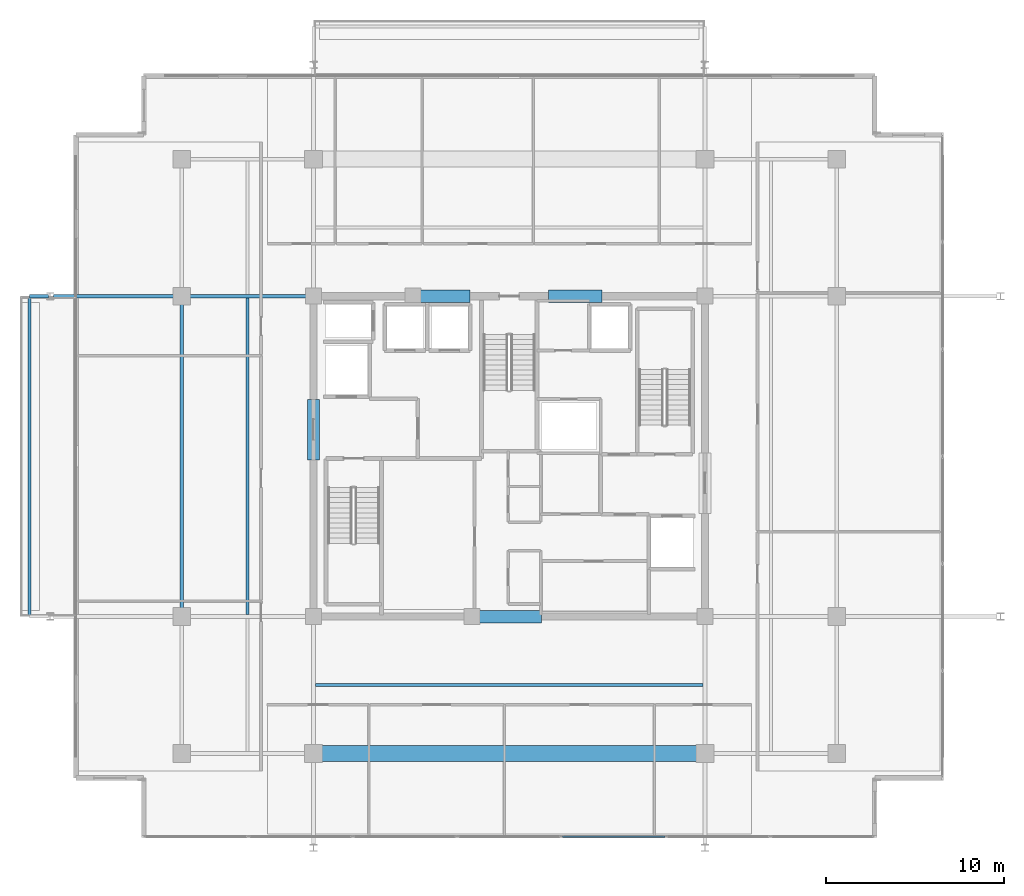
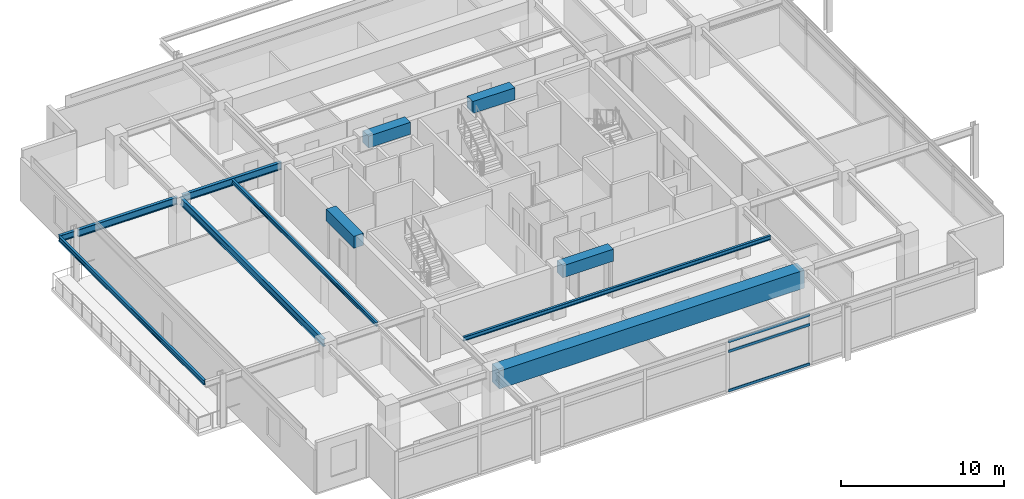
# One storey, part 5 of 20: 12 beams, 3 members, 1 element without a shape of its own.
"""IFC4 building model written with IfcOpenShell, lengths in metres."""

from ifc_helpers import new_model, si_unit, direction, frame, origin, origin_2d, place, context, subcontext, project, spatial, rectangle, hollow_rectangle, i_section, extrude, material, material_profile, profile_set, type_object, element, aggregate, save


model = new_model("IFC4")

# Units and contexts
model_context = context("Model", 3, precision=1e-05, world=origin(), true_north=direction((0.0, 1.0)))
body_context = subcontext(model_context, "Body", "Model", "MODEL_VIEW")
ifc_project = project(units=[si_unit("LENGTHUNIT", "METRE"), si_unit("AREAUNIT", "SQUARE_METRE"), si_unit("VOLUMEUNIT", "CUBIC_METRE"), si_unit("PLANEANGLEUNIT", "RADIAN"), si_unit("MASSUNIT", "GRAM", prefix="KILO")], contexts=[model_context])

# Site, building, storey
site_placement = place(None, origin())
site = spatial("IfcSite", under=ifc_project, at=site_placement, CompositionType="ELEMENT")
building_placement = place(site_placement, origin())
building = spatial("IfcBuilding", under=site, at=building_placement, Name="Kovane Verandah Tower", CompositionType="ELEMENT")
storey_placement = place(building_placement, frame((0.0, 0.0, 334.800048828125)))
storey = spatial("IfcBuildingStorey", under=building, at=storey_placement, Name="L78", CompositionType="ELEMENT", Elevation=334.800048828125)

# Beams
ifc_material_1 = material(Name="Concrete C60/75", Category="concrete")
ifc_material_profile_1 = material_profile(ifc_material_1, rectangle(XDim=0.699951171875, YDim=0.89990234375, at=origin_2d()), Name="RCB700x900")
ifc_profile_set_1 = profile_set([ifc_material_profile_1], Name="Concrete C60/75")
beam_type_1 = type_object("IfcBeamType", Name="BM-LINTEL-700x900", PredefinedType="LINTEL", material=ifc_profile_set_1)
beam_1_placement = place(storey_placement, frame((38.199951171875, 18.5, 3.3349609375), z_axis=(1.0, 0.0, 0.0), x_axis=(0.0, 1.0, 0.0)))
element("IfcBeam", 1, at=beam_1_placement, inside=storey, type_object=beam_type_1, Name="L78 Core Coupling Lintel CL-S", PredefinedType="LINTEL", context=body_context, shape_type="SweptSolid", body=[
    extrude(rectangle(XDim=0.699951171875, YDim=0.89990234375, at=origin_2d()), origin(), (0.0, 0.0, 1.0), 3.60009765625),
])
for number, where, z_axis, x_axis, name in (
    (2, (34.800048828125, 36.5, 3.3349609375), (1.0, 0.0, 0.0), (0.0, 1.0, 0.0), "L78 Core Coupling Lintel CL-N1"),
    (3, (42.199951171875, 36.5, 3.3349609375), (1.0, 0.0, 0.0), (0.0, 1.0, 0.0), "L78 Core Coupling Lintel CL-N2"),
):
    element("IfcBeam", number, at=place(storey_placement, frame(where, z_axis=z_axis, x_axis=x_axis)), inside=storey, type_object=beam_type_1, Name=name, PredefinedType="LINTEL", context=body_context, shape_type="SweptSolid", body=[
        extrude(rectangle(XDim=0.699951171875, YDim=0.89990234375, at=origin_2d()), origin(), (0.0, 0.0, 1.0), 3.0),
    ])
beam_2_placement = place(storey_placement, frame((29.0, 27.300048828125, 3.3349609375), z_axis=(0.0, 1.0, 0.0), x_axis=(-1.0, 0.0, 0.0)))
element("IfcBeam", 4, at=beam_2_placement, inside=storey, type_object=beam_type_1, Name="L78 Core Coupling Lintel CL-W", PredefinedType="LINTEL", context=body_context, shape_type="SweptSolid", body=[
    extrude(rectangle(XDim=0.699951171875, YDim=0.89990234375, at=origin_2d()), origin(), (0.0, 0.0, 1.0), 3.39990234375),
])
ifc_material_2 = material(Name="Concrete C80/95", Category="concrete")
ifc_material_profile_2 = material_profile(ifc_material_2, rectangle(XDim=0.89990234375, YDim=1.35009765625, at=origin_2d()), Name="RCB900x1350")
ifc_profile_set_2 = profile_set([ifc_material_profile_2], Name="Concrete C80/95")
beam_type_2 = type_object("IfcBeamType", Name="BM-TR-900x1350", PredefinedType="BEAM", material=ifc_profile_set_2)
beam_3_placement = place(storey_placement, frame((29.179931640625, 10.800048828125, 3.10986328125), z_axis=(1.0, 0.0, 0.0), x_axis=(0.0, 1.0, 0.0)))
element("IfcBeam", 5, at=beam_3_placement, inside=storey, type_object=beam_type_2, Name="L78 Primary Tower Girder G-RS2", PredefinedType="BEAM", context=body_context, shape_type="SweptSolid", body=[
    extrude(rectangle(XDim=0.89990234375, YDim=1.35009765625, at=origin_2d()), origin(), (0.0, 0.0, 1.0), 21.64013671875),
])
ifc_material_3 = material(Name="Steel S355", Category="steel")
ifc_material_profile_3 = material_profile(ifc_material_3, i_section(OverallWidth=0.2119140625, OverallDepth=0.54443359375, WebThickness=0.0126953125, FlangeThickness=0.021240234375, FilletRadius=0.0126953125, at=origin_2d()), Name="UB533x210x122")
ifc_profile_set_3 = profile_set([ifc_material_profile_3], Name="Steel S355")
beam_type_3 = type_object("IfcBeamType", Name="BM-UB533x122", PredefinedType="BEAM", material=ifc_profile_set_3)
beam_4_placement = place(storey_placement, frame((21.60009765625, 18.679931640625, 3.5126953125), z_axis=(0.0, 1.0, 0.0), x_axis=(-1.0, 0.0, 0.0)))
element("IfcBeam", 6, at=beam_4_placement, inside=storey, type_object=beam_type_3, Name="L78 Primary Tower Girder G-RW2", PredefinedType="BEAM", context=body_context, shape_type="SweptSolid", body=[
    extrude(i_section(OverallWidth=0.2119140625, OverallDepth=0.54443359375, WebThickness=0.0126953125, FlangeThickness=0.021240234375, FilletRadius=0.0126953125, at=origin_2d()), origin(), (0.0, 0.0, 1.0), 17.64013671875),
])
for number, where, z_axis, x_axis, name in (
    (7, (28.820068359375, 36.5, 3.5126953125), (-1.0, 0.0, 0.0), (0.0, -1.0, 0.0), "L78 Primary Tower Girder G-W2"),
    (8, (21.419921875, 36.5, 3.48779296875), (-1.0, 0.0, 0.0), (0.0, -1.0, 0.0), "L78 Primary Tower Girder G-VW2"),
):
    element("IfcBeam", number, at=place(storey_placement, frame(where, z_axis=z_axis, x_axis=x_axis)), inside=storey, type_object=beam_type_3, Name=name, PredefinedType="BEAM", context=body_context, shape_type="SweptSolid", body=[
        extrude(i_section(OverallWidth=0.2119140625, OverallDepth=0.54443359375, WebThickness=0.0126953125, FlangeThickness=0.021240234375, FilletRadius=0.0126953125, at=origin_2d()), origin(), (0.0, 0.0, 1.0), 7.0400390625),
    ])

# Curtain wall, members
ifc_material_4 = material(Name="Champagne Anodised Aluminium Frame with Low-E Clear Laminated Glass", Category="aluminium")
curtain_wall_type = type_object("IfcCurtainWallType", Name="CW-SYS-05-HIGH", PredefinedType="NOTDEFINED", material=ifc_material_4)
curtain_wall_placement = place(storey_placement, origin())
curtain_wall = element("IfcCurtainWall", 9, at=curtain_wall_placement, inside=storey, type_object=curtain_wall_type, Name="L78 S Unitised Curtain Wall", PredefinedType="NOTDEFINED")
ifc_material_5 = material(Name="Champagne Anodised Aluminium 6063-T6", Category="aluminium")
ifc_material_profile_4 = material_profile(ifc_material_5, hollow_rectangle(XDim=0.0849609375, YDim=0.18994140625, WallThickness=0.00390625, at=origin_2d()), Name="AL85x190x4")
ifc_profile_set_4 = profile_set([ifc_material_profile_4], Name="Champagne Anodised Aluminium 6063-T6")
member_type = type_object("IfcMemberType", Name="CW-TRN-85x190", PredefinedType="USERDEFINED", material=ifc_profile_set_4)
member_1_placement = place(storey_placement, frame((42.98486328125, 6.127685546875, 0.050048828125), z_axis=(1.0, 0.0, 0.0), x_axis=(0.0, 1.0, 0.0)))
member_1 = element("IfcMember", 10, at=member_1_placement, type_object=member_type, Name="L78 S Unitised Curtain Wall Transom TB Bay 5", ObjectType="TRANSOM", PredefinedType="USERDEFINED", context=body_context, shape_type="SweptSolid", body=[
    extrude(hollow_rectangle(XDim=0.0849609375, YDim=0.18994140625, WallThickness=0.00390625, at=origin_2d()), origin(), (0.0, 0.0, 1.0), 5.769775390625),
])
member_2_placement = place(storey_placement, frame((42.98486328125, 6.127685546875, 3.0048828125), z_axis=(1.0, 0.0, 0.0), x_axis=(0.0, 1.0, 0.0)))
member_2 = element("IfcMember", 11, at=member_2_placement, type_object=member_type, Name="L78 S Unitised Curtain Wall Transom TM Bay 5", ObjectType="TRANSOM", PredefinedType="USERDEFINED", context=body_context, shape_type="SweptSolid", body=[
    extrude(hollow_rectangle(XDim=0.0849609375, YDim=0.18994140625, WallThickness=0.00390625, at=origin_2d()), origin(), (0.0, 0.0, 1.0), 5.769775390625),
])
member_3_placement = place(storey_placement, frame((42.98486328125, 6.127685546875, 3.73486328125), z_axis=(1.0, 0.0, 0.0), x_axis=(0.0, 1.0, 0.0)))
member_3 = element("IfcMember", 12, at=member_3_placement, type_object=member_type, Name="L78 S Unitised Curtain Wall Transom TT Bay 5", ObjectType="TRANSOM", PredefinedType="USERDEFINED", context=body_context, shape_type="SweptSolid", body=[
    extrude(hollow_rectangle(XDim=0.0849609375, YDim=0.18994140625, WallThickness=0.00390625, at=origin_2d()), origin(), (0.0, 0.0, 1.0), 5.769775390625),
])
aggregate(curtain_wall, [member_1, member_2, member_3])

# Beams
ifc_material_profile_5 = material_profile(ifc_material_3, i_section(OverallWidth=0.1669921875, OverallDepth=0.310302734375, WebThickness=0.0078125, FlangeThickness=0.013671875, FilletRadius=0.0087890625, at=origin_2d()), Name="UB305x165x54")
ifc_profile_set_5 = profile_set([ifc_material_profile_5], Name="Steel S355")
beam_type_4 = type_object("IfcBeamType", Name="JST-UB305x54", PredefinedType="JOIST", material=ifc_profile_set_5)
beam_5_placement = place(storey_placement, frame((29.10400390625, 14.64990234375, 3.629638671875), z_axis=(1.0, 0.0, 0.0), x_axis=(0.0, 1.0, 0.0)))
element("IfcBeam", 13, at=beam_5_placement, inside=storey, type_object=beam_type_4, Name="L78 Secondary Composite Joist J-S1", PredefinedType="JOIST", context=body_context, shape_type="SweptSolid", body=[
    extrude(i_section(OverallWidth=0.1669921875, OverallDepth=0.310302734375, WebThickness=0.0078125, FlangeThickness=0.013671875, FilletRadius=0.0087890625, at=origin_2d()), origin(), (0.0, 0.0, 1.0), 21.7919921875),
])
beam_6_placement = place(storey_placement, frame((25.300048828125, 18.60400390625, 3.629638671875), z_axis=(0.0, 1.0, 0.0), x_axis=(-1.0, 0.0, 0.0)))
element("IfcBeam", 14, at=beam_6_placement, inside=storey, type_object=beam_type_4, Name="L78 Secondary Composite Joist J-W1", PredefinedType="JOIST", context=body_context, shape_type="SweptSolid", body=[
    extrude(i_section(OverallWidth=0.1669921875, OverallDepth=0.310302734375, WebThickness=0.0078125, FlangeThickness=0.013671875, FilletRadius=0.0087890625, at=origin_2d()), origin(), (0.0, 0.0, 1.0), 17.7919921875),
])
ifc_material_profile_6 = material_profile(ifc_material_3, i_section(OverallWidth=0.19287109375, OverallDepth=0.46728515625, WebThickness=0.011474609375, FlangeThickness=0.01953125, FilletRadius=0.01025390625, at=origin_2d()), Name="UB457x191x98")
ifc_profile_set_6 = profile_set([ifc_material_profile_6], Name="Steel S355")
beam_type_5 = type_object("IfcBeamType", Name="JST-UB457x98", PredefinedType="JOIST", material=ifc_profile_set_6)
beam_7_placement = place(storey_placement, frame((14.1201171875, 36.5, 3.5263671875), z_axis=(-1.0, 0.0, 0.0), x_axis=(0.0, -1.0, 0.0)))
element("IfcBeam", 15, at=beam_7_placement, inside=storey, type_object=beam_type_5, Name="L78 West Planter Girder 2", PredefinedType="JOIST", context=body_context, shape_type="SweptSolid", body=[
    extrude(i_section(OverallWidth=0.19287109375, OverallDepth=0.46728515625, WebThickness=0.011474609375, FlangeThickness=0.01953125, FilletRadius=0.01025390625, at=origin_2d()), origin(), (0.0, 0.0, 1.0), 1.070068359375),
])
ifc_material_profile_7 = material_profile(ifc_material_3, i_section(OverallWidth=0.173095703125, OverallDepth=0.36328125, WebThickness=0.009033203125, FlangeThickness=0.015625, FilletRadius=0.01025390625, at=origin_2d()), Name="UB356x171x67")
ifc_profile_set_7 = profile_set([ifc_material_profile_7], Name="Steel S355")
beam_type_6 = type_object("IfcBeamType", Name="SPD-UB356x67", PredefinedType="USERDEFINED", material=ifc_profile_set_7)
beam_8_placement = place(storey_placement, frame((13.050048828125, 18.594482421875, 3.578369140625), z_axis=(0.0, 1.0, 0.0), x_axis=(-1.0, 0.0, 0.0)))
element("IfcBeam", 16, at=beam_8_placement, inside=storey, type_object=beam_type_6, Name="L78 West Planter Edge Spandrel", ObjectType="SPANDREL", PredefinedType="USERDEFINED", context=body_context, shape_type="SweptSolid", body=[
    extrude(i_section(OverallWidth=0.173095703125, OverallDepth=0.36328125, WebThickness=0.009033203125, FlangeThickness=0.015625, FilletRadius=0.01025390625, at=origin_2d()), origin(), (0.0, 0.0, 1.0), 17.81103515625),
])

save(model, "model.ifc")
